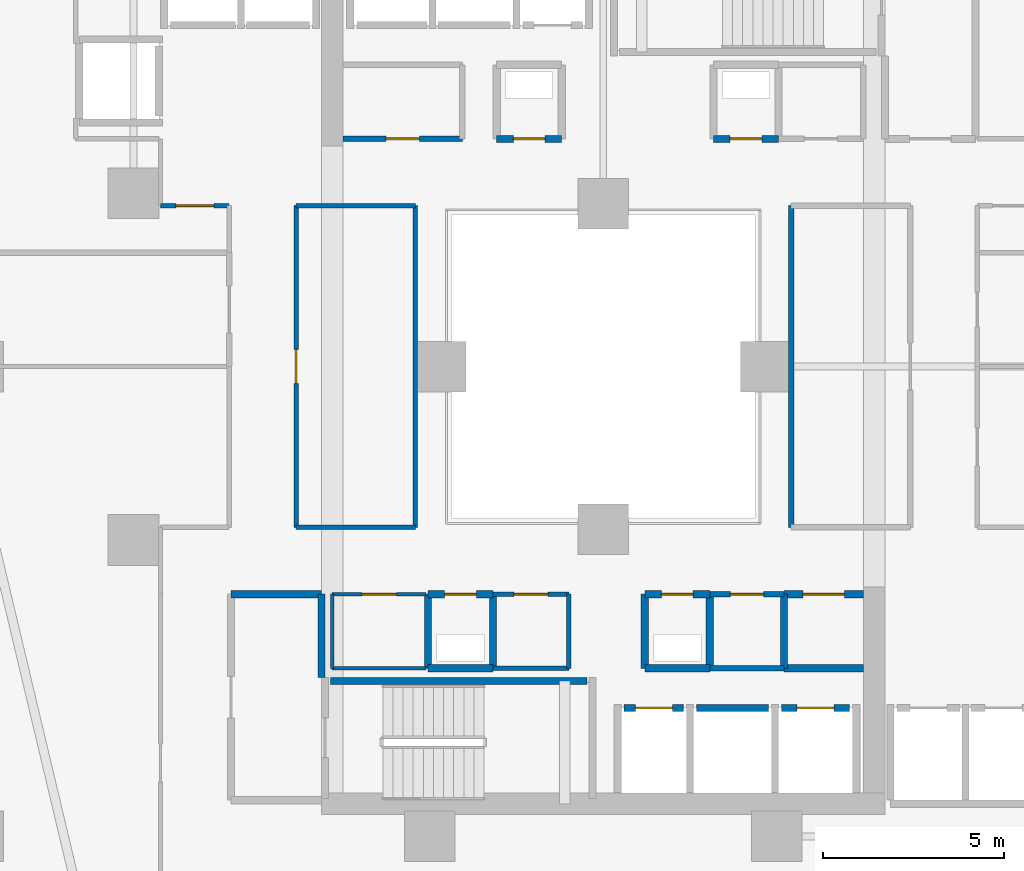
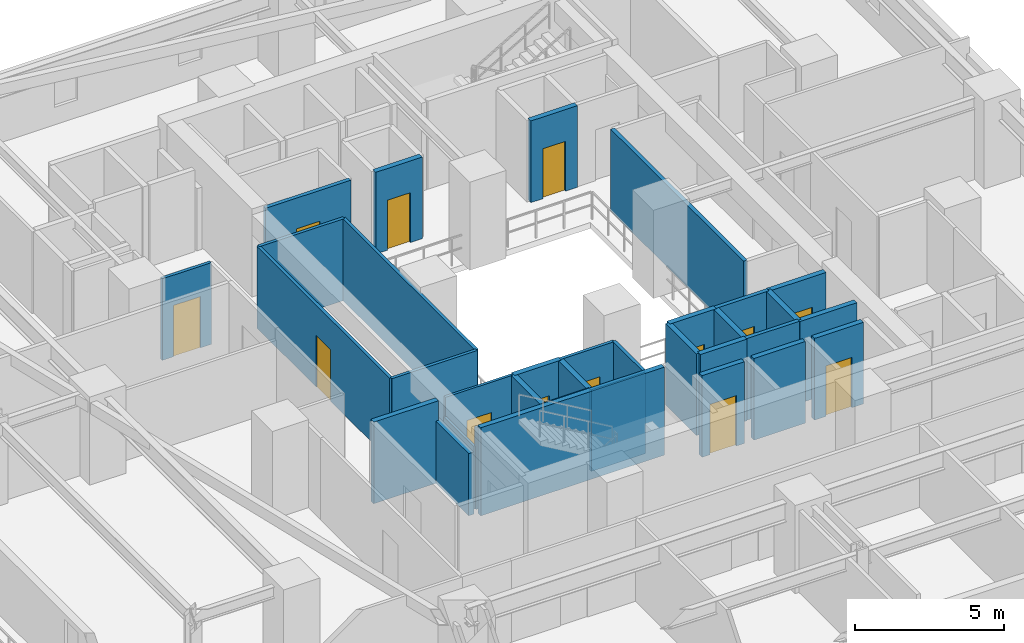
# One storey, part 19 of 33: 34 walls, 13 doors, 13 openings.
"""IFC4 building model written with IfcOpenShell, lengths in metres."""

from ifc_helpers import new_model, si_unit, direction, frame, frame_2d, origin, place, context, subcontext, project, spatial, rectangle, extrude, material, layer, layer_set, type_object, element, fill, save


model = new_model("IFC4")

# Units and contexts
model_context = context("Model", 3, precision=1e-05, world=origin(), true_north=direction((0.0, 1.0)))
body_context = subcontext(model_context, "Body", "Model", "MODEL_VIEW")
ifc_project = project(units=[si_unit("LENGTHUNIT", "METRE"), si_unit("AREAUNIT", "SQUARE_METRE"), si_unit("VOLUMEUNIT", "CUBIC_METRE"), si_unit("PLANEANGLEUNIT", "RADIAN"), si_unit("MASSUNIT", "GRAM", prefix="KILO")], contexts=[model_context])

# Site, building, storey
site_placement = place(None, origin())
site = spatial("IfcSite", under=ifc_project, at=site_placement, CompositionType="ELEMENT")
building_placement = place(site_placement, origin())
building = spatial("IfcBuilding", under=site, at=building_placement, Name="Thornwick Lancets Civic Towers", CompositionType="ELEMENT")
storey_placement = place(building_placement, frame((0.0, 0.0, 42.300048828125)))
storey = spatial("IfcBuildingStorey", under=building, at=storey_placement, Name="L10", CompositionType="ELEMENT", Elevation=42.300048828125)

# Wall, opening, door
ifc_material_1 = material(Name="Concrete blockwork C40/50", Category="masonry")
ifc_layer_1 = layer(ifc_material_1, 0.199951171875, Name="Concrete blockwork C40/50")
ifc_layer_set_1 = layer_set([ifc_layer_1], Name="Concrete blockwork C40/50")
wall_type_1 = type_object("IfcWallType", Name="WALL_COMP_200", PredefinedType="STANDARD", material=ifc_layer_set_1)
wall_1_placement = place(storey_placement, frame((26.080078125, 17.550048828125, 0.0), z_axis=(0.0, 0.0, 1.0), x_axis=(1.0, 0.0, 0.0)))
wall_1 = element("IfcWall", 1, at=wall_1_placement, inside=storey, type_object=wall_type_1, Name="L10 Hoistway Front Wall FL-A1", PredefinedType="STANDARD", context=body_context, shape_type="SweptSolid", body=[
    extrude(rectangle(XDim=1.639892578125, YDim=0.199951171875, at=frame_2d((0.81982421875, 0.0))), origin(), (0.0, 0.0, 1.0), 3.33984375),
])
opening_1_placement = place(wall_1_placement, frame((0.31005859375, 0.0, 0.0)))
opening_1 = element("IfcOpeningElement", 2, at=opening_1_placement, cuts=wall_1, Name="Opening LD-FL-A1", PredefinedType="OPENING", context=body_context, shape_type="SweptSolid", body=[
    extrude(rectangle(XDim=1.02001953125, YDim=2.06005859375, at=frame_2d((0.510009765625, 1.030029296875))), frame((0.0, 0.10986328125, 0.0), z_axis=(0.0, -1.0, 0.0), x_axis=(1.0, 0.0, 0.0)), (0.0, 0.0, 1.0), 0.219970703125),
])
ifc_material_2 = material(Name="Brushed bronze stainless steel", Category="steel")
door_type_1 = type_object("IfcDoorType", Name="DOOR_LIFT_SLIDE", OperationType="SLIDING_TO_LEFT", PredefinedType="DOOR", material=ifc_material_2)
door_1_placement = place(opening_1_placement, origin())
door_1 = element("IfcDoor", 3, at=door_1_placement, inside=storey, type_object=door_type_1, Name="L10 Sliding Lift Landing Door LD-FL-A1", OperationType="SLIDING_TO_LEFT", OverallHeight=2.06005859375, OverallWidth=1.02001953125, PredefinedType="DOOR", context=body_context, shape_type="SweptSolid", body=[
    extrude(rectangle(XDim=1.02001953125, YDim=2.06005859375, at=frame_2d((0.510009765625, 1.030029296875))), frame((0.0, 0.02490234375, 0.0), z_axis=(0.0, -1.0, 0.0), x_axis=(1.0, 0.0, 0.0)), (0.0, 0.0, 1.0), 0.050048828125),
])
fill(opening_1, door_1)

# Wall
wall_2_placement = place(storey_placement, frame((28.080078125, 17.550048828125, 0.0), z_axis=(0.0, 0.0, 1.0), x_axis=(1.0, 0.0, 0.0)))
element("IfcWall", 4, at=wall_2_placement, inside=storey, type_object=wall_type_1, Name="L10 Hoistway Front Wall PL-AH1", PredefinedType="STANDARD", context=body_context, shape_type="SweptSolid", body=[
    extrude(rectangle(XDim=1.989990234375, YDim=0.199951171875, at=frame_2d((0.9951171875, 0.0))), origin(), (0.0, 0.0, 1.0), 3.33984375),
])

# Wall, opening, door
wall_3_placement = place(storey_placement, frame((30.429931640625, 17.550048828125, 0.0), z_axis=(0.0, 0.0, 1.0), x_axis=(1.0, 0.0, 0.0)))
wall_3 = element("IfcWall", 5, at=wall_3_placement, inside=storey, type_object=wall_type_1, Name="L10 Hoistway Front Wall PL-AL1", PredefinedType="STANDARD", context=body_context, shape_type="SweptSolid", body=[
    extrude(rectangle(XDim=1.89013671875, YDim=0.199951171875, at=frame_2d((0.945068359375, 0.0))), origin(), (0.0, 0.0, 1.0), 3.33984375),
])
opening_2_placement = place(wall_3_placement, frame((0.43505859375, 0.0, 0.0)))
opening_2 = element("IfcOpeningElement", 6, at=opening_2_placement, cuts=wall_3, Name="Opening LD-PL-AL1", PredefinedType="OPENING", context=body_context, shape_type="SweptSolid", body=[
    extrude(rectangle(XDim=1.02001953125, YDim=2.06005859375, at=frame_2d((0.510009765625, 1.030029296875))), frame((0.0, 0.10986328125, 0.0), z_axis=(0.0, -1.0, 0.0), x_axis=(1.0, 0.0, 0.0)), (0.0, 0.0, 1.0), 0.219970703125),
])
door_2_placement = place(opening_2_placement, origin())
door_2 = element("IfcDoor", 7, at=door_2_placement, inside=storey, type_object=door_type_1, Name="L10 Sliding Lift Landing Door LD-PL-AL1", OperationType="SLIDING_TO_LEFT", OverallHeight=2.06005859375, OverallWidth=1.02001953125, PredefinedType="DOOR", context=body_context, shape_type="SweptSolid", body=[
    extrude(rectangle(XDim=1.02001953125, YDim=2.06005859375, at=frame_2d((0.510009765625, 1.030029296875))), frame((0.0, 0.02490234375, 0.0), z_axis=(0.0, -1.0, 0.0), x_axis=(1.0, 0.0, 0.0)), (0.0, 0.0, 1.0), 0.050048828125),
])
fill(opening_2, door_2)

# Walls
wall_4_placement = place(storey_placement, frame((17.699951171875, 18.39990234375, 0.0), z_axis=(0.0, 0.0, 1.0), x_axis=(0.0, 1.0, 0.0)))
element("IfcWall", 8, at=wall_4_placement, inside=storey, type_object=wall_type_1, Name="L10 Partition L10-A-FFLOB1 E2", PredefinedType="STANDARD", context=body_context, shape_type="SweptSolid", body=[
    extrude(rectangle(XDim=2.300048828125, YDim=0.199951171875, at=frame_2d((1.14990234375, 0.0))), origin(), (0.0, 0.0, 1.0), 2.544921875),
])
wall_5_placement = place(storey_placement, frame((17.699951171875, 20.699951171875, 0.0), z_axis=(0.0, 0.0, 1.0), x_axis=(-1.0, 0.0, 0.0)))
element("IfcWall", 9, at=wall_5_placement, inside=storey, type_object=wall_type_1, Name="L10 Partition L10-A-FFLOB1 E3", PredefinedType="STANDARD", context=body_context, shape_type="SweptSolid", body=[
    extrude(rectangle(XDim=2.5, YDim=0.199951171875, at=frame_2d((1.25, 0.0))), origin(), (0.0, 0.0, 1.0), 3.33984375),
])
wall_6_placement = place(storey_placement, frame((26.64990234375, 18.64990234375, 0.0), z_axis=(0.0, 0.0, 1.0), x_axis=(1.0, 0.0, 0.0)))
element("IfcWall", 10, at=wall_6_placement, inside=storey, type_object=wall_type_1, Name="L10 Partition L10-A-DUCT1 E1", PredefinedType="STANDARD", context=body_context, shape_type="SweptSolid", body=[
    extrude(rectangle(XDim=1.800048828125, YDim=0.199951171875, at=frame_2d((0.89990234375, 0.0))), origin(), (0.0, 0.0, 1.0), 3.33984375),
])
wall_7_placement = place(storey_placement, frame((28.449951171875, 18.64990234375, 0.0), z_axis=(0.0, 0.0, 1.0), x_axis=(0.0, 1.0, 0.0)))
element("IfcWall", 11, at=wall_7_placement, inside=storey, type_object=wall_type_1, Name="L10 Partition L10-A-DUCT1 E2", PredefinedType="STANDARD", context=body_context, shape_type="SweptSolid", body=[
    extrude(rectangle(XDim=2.050048828125, YDim=0.199951171875, at=frame_2d((1.02490234375, 0.0))), origin(), (0.0, 0.0, 1.0), 3.33984375),
])

# Wall, opening, door
wall_8_placement = place(storey_placement, frame((28.449951171875, 20.699951171875, 0.0), z_axis=(0.0, 0.0, 1.0), x_axis=(-1.0, 0.0, 0.0)))
wall_8 = element("IfcWall", 12, at=wall_8_placement, inside=storey, type_object=wall_type_1, Name="L10 Partition L10-A-DUCT1 E3", PredefinedType="STANDARD", context=body_context, shape_type="SweptSolid", body=[
    extrude(rectangle(XDim=1.800048828125, YDim=0.199951171875, at=frame_2d((0.89990234375, 0.0))), origin(), (0.0, 0.0, 1.0), 3.33984375),
])
opening_3_placement = place(wall_8_placement, frame((0.4599609375, 0.0, 0.0)))
opening_3 = element("IfcOpeningElement", 13, at=opening_3_placement, cuts=wall_8, Name="Opening D-L10-0489", PredefinedType="OPENING", context=body_context, shape_type="SweptSolid", body=[
    extrude(rectangle(XDim=0.8798828125, YDim=2.0400390625, at=frame_2d((0.43994140625, 1.02001953125))), frame((0.0, 0.10986328125, 0.0), z_axis=(0.0, -1.0, 0.0), x_axis=(1.0, 0.0, 0.0)), (0.0, 0.0, 1.0), 0.219970703125),
])
ifc_material_3 = material(Name="Steel riser access doorset", Category="steel")
door_type_2 = type_object("IfcDoorType", Name="DOOR_RISER_850", OperationType="NOTDEFINED", PredefinedType="DOOR", material=ifc_material_3)
door_3_placement = place(opening_3_placement, origin())
door_3 = element("IfcDoor", 14, at=door_3_placement, inside=storey, type_object=door_type_2, Name="L10 South Service Duct 1 Door", OperationType="SINGLE_SWING_RIGHT", OverallHeight=2.0400390625, OverallWidth=0.8798828125, PredefinedType="DOOR", context=body_context, shape_type="SweptSolid", body=[
    extrude(rectangle(XDim=0.8798828125, YDim=2.0400390625, at=frame_2d((0.43994140625, 1.02001953125))), frame((0.0, 0.02490234375, 0.0), z_axis=(0.0, -1.0, 0.0), x_axis=(1.0, 0.0, 0.0)), (0.0, 0.0, 1.0), 0.050048828125),
])
fill(opening_3, door_3)

# Walls
wall_9_placement = place(storey_placement, frame((26.64990234375, 20.699951171875, 0.0), z_axis=(0.0, 0.0, 1.0), x_axis=(0.0, -1.0, 0.0)))
element("IfcWall", 15, at=wall_9_placement, inside=storey, type_object=wall_type_1, Name="L10 Partition L10-A-DUCT1 E4", PredefinedType="STANDARD", context=body_context, shape_type="SweptSolid", body=[
    extrude(rectangle(XDim=2.050048828125, YDim=0.199951171875, at=frame_2d((1.02490234375, 0.0))), origin(), (0.0, 0.0, 1.0), 3.33984375),
])
wall_10_placement = place(storey_placement, frame((20.64990234375, 18.64990234375, 0.0), z_axis=(0.0, 0.0, 1.0), x_axis=(1.0, 0.0, 0.0)))
element("IfcWall", 16, at=wall_10_placement, inside=storey, type_object=wall_type_1, Name="L10 Partition L10-A-RISER1 E1", PredefinedType="STANDARD", context=body_context, shape_type="SweptSolid", body=[
    extrude(rectangle(XDim=1.800048828125, YDim=0.199951171875, at=frame_2d((0.89990234375, 0.0))), origin(), (0.0, 0.0, 1.0), 3.33984375),
])
wall_11_placement = place(storey_placement, frame((22.449951171875, 18.64990234375, 0.0), z_axis=(0.0, 0.0, 1.0), x_axis=(0.0, 1.0, 0.0)))
element("IfcWall", 17, at=wall_11_placement, inside=storey, type_object=wall_type_1, Name="L10 Partition L10-A-RISER1 E2", PredefinedType="STANDARD", context=body_context, shape_type="SweptSolid", body=[
    extrude(rectangle(XDim=2.050048828125, YDim=0.199951171875, at=frame_2d((1.02490234375, 0.0))), origin(), (0.0, 0.0, 1.0), 3.33984375),
])

# Wall, opening, door
wall_12_placement = place(storey_placement, frame((22.449951171875, 20.699951171875, 0.0), z_axis=(0.0, 0.0, 1.0), x_axis=(-1.0, 0.0, 0.0)))
wall_12 = element("IfcWall", 18, at=wall_12_placement, inside=storey, type_object=wall_type_1, Name="L10 Partition L10-A-RISER1 E3", PredefinedType="STANDARD", context=body_context, shape_type="SweptSolid", body=[
    extrude(rectangle(XDim=1.800048828125, YDim=0.199951171875, at=frame_2d((0.89990234375, 0.0))), origin(), (0.0, 0.0, 1.0), 3.33984375),
])
opening_4_placement = place(wall_12_placement, frame((0.4599609375, 0.0, 0.0)))
opening_4 = element("IfcOpeningElement", 19, at=opening_4_placement, cuts=wall_12, Name="Opening D-L10-0490", PredefinedType="OPENING", context=body_context, shape_type="SweptSolid", body=[
    extrude(rectangle(XDim=0.8798828125, YDim=2.0400390625, at=frame_2d((0.43994140625, 1.02001953125))), frame((0.0, 0.10986328125, 0.0), z_axis=(0.0, -1.0, 0.0), x_axis=(1.0, 0.0, 0.0)), (0.0, 0.0, 1.0), 0.219970703125),
])
door_4_placement = place(opening_4_placement, origin())
door_4 = element("IfcDoor", 20, at=door_4_placement, inside=storey, type_object=door_type_2, Name="L10 South Electrical Riser 1 Door", OperationType="SINGLE_SWING_LEFT", OverallHeight=2.0400390625, OverallWidth=0.8798828125, PredefinedType="DOOR", context=body_context, shape_type="SweptSolid", body=[
    extrude(rectangle(XDim=0.8798828125, YDim=2.0400390625, at=frame_2d((0.43994140625, 1.02001953125))), frame((0.0, 0.02490234375, 0.0), z_axis=(0.0, -1.0, 0.0), x_axis=(1.0, 0.0, 0.0)), (0.0, 0.0, 1.0), 0.050048828125),
])
fill(opening_4, door_4)

# Wall
wall_13_placement = place(storey_placement, frame((20.64990234375, 20.699951171875, 0.0), z_axis=(0.0, 0.0, 1.0), x_axis=(0.0, -1.0, 0.0)))
element("IfcWall", 21, at=wall_13_placement, inside=storey, type_object=wall_type_1, Name="L10 Partition L10-A-RISER1 E4", PredefinedType="STANDARD", context=body_context, shape_type="SweptSolid", body=[
    extrude(rectangle(XDim=2.050048828125, YDim=0.199951171875, at=frame_2d((1.02490234375, 0.0))), origin(), (0.0, 0.0, 1.0), 3.33984375),
])

# Wall, opening, door
wall_14_placement = place(storey_placement, frame((22.550048828125, 33.300048828125, 0.0), z_axis=(0.0, 0.0, 1.0), x_axis=(1.0, 0.0, 0.0)))
wall_14 = element("IfcWall", 22, at=wall_14_placement, inside=storey, type_object=wall_type_1, Name="L10 Partition L10-A-DUCT2 E1", PredefinedType="STANDARD", context=body_context, shape_type="SweptSolid", body=[
    extrude(rectangle(XDim=1.800048828125, YDim=0.199951171875, at=frame_2d((0.89990234375, 0.0))), origin(), (0.0, 0.0, 1.0), 3.33984375),
])
opening_5_placement = place(wall_14_placement, frame((0.4599609375, 0.0, 0.0)))
opening_5 = element("IfcOpeningElement", 23, at=opening_5_placement, cuts=wall_14, Name="Opening D-L10-0491", PredefinedType="OPENING", context=body_context, shape_type="SweptSolid", body=[
    extrude(rectangle(XDim=0.8798828125, YDim=2.0400390625, at=frame_2d((0.43994140625, 1.02001953125))), frame((0.0, 0.10986328125, 0.0), z_axis=(0.0, -1.0, 0.0), x_axis=(1.0, 0.0, 0.0)), (0.0, 0.0, 1.0), 0.219970703125),
])
door_5_placement = place(opening_5_placement, origin())
door_5 = element("IfcDoor", 24, at=door_5_placement, inside=storey, type_object=door_type_2, Name="L10 North Service Duct 2 Door", OperationType="SINGLE_SWING_RIGHT", OverallHeight=2.0400390625, OverallWidth=0.8798828125, PredefinedType="DOOR", context=body_context, shape_type="SweptSolid", body=[
    extrude(rectangle(XDim=0.8798828125, YDim=2.0400390625, at=frame_2d((0.43994140625, 1.02001953125))), frame((0.0, 0.02490234375, 0.0), z_axis=(0.0, -1.0, 0.0), x_axis=(1.0, 0.0, 0.0)), (0.0, 0.0, 1.0), 0.050048828125),
])
fill(opening_5, door_5)

wall_15_placement = place(storey_placement, frame((28.550048828125, 33.300048828125, 0.0), z_axis=(0.0, 0.0, 1.0), x_axis=(1.0, 0.0, 0.0)))
wall_15 = element("IfcWall", 25, at=wall_15_placement, inside=storey, type_object=wall_type_1, Name="L10 Partition L10-A-RISER2 E1", PredefinedType="STANDARD", context=body_context, shape_type="SweptSolid", body=[
    extrude(rectangle(XDim=1.800048828125, YDim=0.199951171875, at=frame_2d((0.89990234375, 0.0))), origin(), (0.0, 0.0, 1.0), 3.33984375),
])
opening_6_placement = place(wall_15_placement, frame((0.4599609375, 0.0, 0.0)))
opening_6 = element("IfcOpeningElement", 26, at=opening_6_placement, cuts=wall_15, Name="Opening D-L10-0492", PredefinedType="OPENING", context=body_context, shape_type="SweptSolid", body=[
    extrude(rectangle(XDim=0.8798828125, YDim=2.0400390625, at=frame_2d((0.43994140625, 1.02001953125))), frame((0.0, 0.10986328125, 0.0), z_axis=(0.0, -1.0, 0.0), x_axis=(1.0, 0.0, 0.0)), (0.0, 0.0, 1.0), 0.219970703125),
])
door_6_placement = place(opening_6_placement, origin())
door_6 = element("IfcDoor", 27, at=door_6_placement, inside=storey, type_object=door_type_2, Name="L10 North Service Riser 2 Door", OperationType="SINGLE_SWING_LEFT", OverallHeight=2.0400390625, OverallWidth=0.8798828125, PredefinedType="DOOR", context=body_context, shape_type="SweptSolid", body=[
    extrude(rectangle(XDim=0.8798828125, YDim=2.0400390625, at=frame_2d((0.43994140625, 1.02001953125))), frame((0.0, 0.02490234375, 0.0), z_axis=(0.0, -1.0, 0.0), x_axis=(1.0, 0.0, 0.0)), (0.0, 0.0, 1.0), 0.050048828125),
])
fill(opening_6, door_6)

# Walls
wall_16_placement = place(storey_placement, frame((32.699951171875, 18.64990234375, 0.0), z_axis=(0.0, 0.0, 1.0), x_axis=(-1.0, 0.0, 0.0)))
element("IfcWall", 28, at=wall_16_placement, inside=storey, type_object=wall_type_1, Name="L10 Partition L10-A-STR2 E2", PredefinedType="STANDARD", context=body_context, shape_type="SweptSolid", body=[
    extrude(rectangle(XDim=2.199951171875, YDim=0.199951171875, at=frame_2d((1.10009765625, 0.0))), origin(), (0.0, 0.0, 1.0), 3.33984375),
])
wall_17_placement = place(storey_placement, frame((30.5, 18.64990234375, 0.0), z_axis=(0.0, 0.0, 1.0), x_axis=(0.0, 1.0, 0.0)))
element("IfcWall", 29, at=wall_17_placement, inside=storey, type_object=wall_type_1, Name="L10 Partition L10-A-STR2 E3", PredefinedType="STANDARD", context=body_context, shape_type="SweptSolid", body=[
    extrude(rectangle(XDim=2.050048828125, YDim=0.199951171875, at=frame_2d((1.02490234375, 0.0))), origin(), (0.0, 0.0, 1.0), 3.33984375),
])

# Wall, opening, door
wall_18_placement = place(storey_placement, frame((30.5, 20.699951171875, 0.0), z_axis=(0.0, 0.0, 1.0), x_axis=(1.0, 0.0, 0.0)))
wall_18 = element("IfcWall", 30, at=wall_18_placement, inside=storey, type_object=wall_type_1, Name="L10 Partition L10-A-STR2 E4", PredefinedType="STANDARD", context=body_context, shape_type="SweptSolid", body=[
    extrude(rectangle(XDim=2.199951171875, YDim=0.199951171875, at=frame_2d((1.10009765625, 0.0))), origin(), (0.0, 0.0, 1.0), 3.33984375),
])
opening_7_placement = place(wall_18_placement, frame((0.52490234375, 0.0, 0.0)))
opening_7 = element("IfcOpeningElement", 31, at=opening_7_placement, cuts=wall_18, Name="Opening D-L10-0496", PredefinedType="OPENING", context=body_context, shape_type="SweptSolid", body=[
    extrude(rectangle(XDim=1.14990234375, YDim=2.10009765625, at=frame_2d((0.574951171875, 1.050048828125))), frame((0.0, 0.10986328125, 0.0), z_axis=(0.0, -1.0, 0.0), x_axis=(1.0, 0.0, 0.0)), (0.0, 0.0, 1.0), 0.219970703125),
])
ifc_material_4 = material(Name="Glazed fire-resisting steel", Category="steel")
door_type_3 = type_object("IfcDoorType", Name="DOOR_LOBBY_FD60", OperationType="NOTDEFINED", PredefinedType="DOOR", material=ifc_material_4)
door_7_placement = place(opening_7_placement, origin())
door_7 = element("IfcDoor", 32, at=door_7_placement, inside=storey, type_object=door_type_3, Name="L10 Tower A Core Supplies Store Door", OperationType="SINGLE_SWING_LEFT", OverallHeight=2.10009765625, OverallWidth=1.14990234375, PredefinedType="DOOR", context=body_context, shape_type="SweptSolid", body=[
    extrude(rectangle(XDim=1.14990234375, YDim=2.10009765625, at=frame_2d((0.574951171875, 1.050048828125))), frame((0.0, 0.02490234375, 0.0), z_axis=(0.0, -1.0, 0.0), x_axis=(1.0, 0.0, 0.0)), (0.0, 0.0, 1.0), 0.050048828125),
])
fill(opening_7, door_7)

# Wall
ifc_material_5 = material(Name="Lightweight cellular office partition")
ifc_layer_2 = layer(ifc_material_5, 0.10009765625, Name="Lightweight cellular office partition")
ifc_layer_set_2 = layer_set([ifc_layer_2], Name="Lightweight cellular office partition")
wall_type_2 = type_object("IfcWallType", Name="WALL_PART_100", PredefinedType="PARTITIONING", material=ifc_layer_set_2)
wall_19_placement = place(storey_placement, frame((18.0, 18.64990234375, 0.0), z_axis=(0.0, 0.0, 1.0), x_axis=(1.0, 0.0, 0.0)))
element("IfcWall", 33, at=wall_19_placement, inside=storey, type_object=wall_type_2, Name="L10 Partition L10-A-CLN E1", PredefinedType="PARTITIONING", context=body_context, shape_type="SweptSolid", body=[
    extrude(rectangle(XDim=2.60009765625, YDim=0.10009765625, at=frame_2d((1.300048828125, 0.0))), origin(), (0.0, 0.0, 1.0), 3.33984375),
])

# Wall, opening, door
wall_20_placement = place(storey_placement, frame((20.60009765625, 20.699951171875, 0.0), z_axis=(0.0, 0.0, 1.0), x_axis=(-1.0, 0.0, 0.0)))
wall_20 = element("IfcWall", 34, at=wall_20_placement, inside=storey, type_object=wall_type_2, Name="L10 Partition L10-A-CLN E3", PredefinedType="PARTITIONING", context=body_context, shape_type="SweptSolid", body=[
    extrude(rectangle(XDim=2.60009765625, YDim=0.10009765625, at=frame_2d((1.300048828125, 0.0))), origin(), (0.0, 0.0, 1.0), 3.33984375),
])
opening_8_placement = place(wall_20_placement, frame((0.824951171875, 0.0, 0.0)))
opening_8 = element("IfcOpeningElement", 35, at=opening_8_placement, cuts=wall_20, Name="Opening D-L10-0493", PredefinedType="OPENING", context=body_context, shape_type="SweptSolid", body=[
    extrude(rectangle(XDim=0.949951171875, YDim=2.10009765625, at=frame_2d((0.47509765625, 1.050048828125))), frame((0.0, 0.06005859375, 0.0), z_axis=(0.0, -1.0, 0.0), x_axis=(1.0, 0.0, 0.0)), (0.0, 0.0, 1.0), 0.1201171875),
])
ifc_material_6 = material(Name="European oak acoustic doorset")
door_type_4 = type_object("IfcDoorType", Name="DOOR_OFFICE_950", OperationType="NOTDEFINED", PredefinedType="DOOR", material=ifc_material_6)
door_8_placement = place(opening_8_placement, origin())
door_8 = element("IfcDoor", 36, at=door_8_placement, inside=storey, type_object=door_type_4, Name="L10 Tower A Cleaners Store Door", OperationType="SINGLE_SWING_RIGHT", OverallHeight=2.10009765625, OverallWidth=0.949951171875, PredefinedType="DOOR", context=body_context, shape_type="SweptSolid", body=[
    extrude(rectangle(XDim=0.949951171875, YDim=2.10009765625, at=frame_2d((0.47509765625, 1.050048828125))), frame((0.0, 0.02490234375, 0.0), z_axis=(0.0, -1.0, 0.0), x_axis=(1.0, 0.0, 0.0)), (0.0, 0.0, 1.0), 0.050048828125),
])
fill(opening_8, door_8)

# Walls
wall_21_placement = place(storey_placement, frame((18.0, 20.699951171875, 0.0), z_axis=(0.0, 0.0, 1.0), x_axis=(0.0, -1.0, 0.0)))
element("IfcWall", 37, at=wall_21_placement, inside=storey, type_object=wall_type_2, Name="L10 Partition L10-A-CLN E4", PredefinedType="PARTITIONING", context=body_context, shape_type="SweptSolid", body=[
    extrude(rectangle(XDim=2.050048828125, YDim=0.10009765625, at=frame_2d((1.02490234375, 0.0))), origin(), (0.0, 0.0, 1.0), 2.544921875),
])
ifc_material_7 = material(Name="Acoustic gypsum board partition")
ifc_layer_3 = layer(ifc_material_7, 0.1201171875, Name="Acoustic gypsum board partition")
ifc_layer_set_3 = layer_set([ifc_layer_3], Name="Acoustic gypsum board partition")
wall_type_3 = type_object("IfcWallType", Name="WALL_PART_120", PredefinedType="PARTITIONING", material=ifc_layer_set_3)
wall_22_placement = place(storey_placement, frame((24.550048828125, 20.699951171875, 0.0), z_axis=(0.0, 0.0, 1.0), x_axis=(0.0, -1.0, 0.0)))
element("IfcWall", 38, at=wall_22_placement, inside=storey, type_object=wall_type_3, Name="L10 Partition L10-A-ITR E1", PredefinedType="PARTITIONING", context=body_context, shape_type="SweptSolid", body=[
    extrude(rectangle(XDim=2.050048828125, YDim=0.1201171875, at=frame_2d((1.02490234375, 0.0))), origin(), (0.0, 0.0, 1.0), 3.33984375),
])
wall_23_placement = place(storey_placement, frame((24.550048828125, 18.64990234375, 0.0), z_axis=(0.0, 0.0, 1.0), x_axis=(-1.0, 0.0, 0.0)))
element("IfcWall", 39, at=wall_23_placement, inside=storey, type_object=wall_type_3, Name="L10 Partition L10-A-ITR E2", PredefinedType="PARTITIONING", context=body_context, shape_type="SweptSolid", body=[
    extrude(rectangle(XDim=2.10009765625, YDim=0.1201171875, at=frame_2d((1.050048828125, 0.0))), origin(), (0.0, 0.0, 1.0), 3.33984375),
])

# Wall, opening, door
wall_24_placement = place(storey_placement, frame((22.449951171875, 20.699951171875, 0.0), z_axis=(0.0, 0.0, 1.0), x_axis=(1.0, 0.0, 0.0)))
wall_24 = element("IfcWall", 40, at=wall_24_placement, inside=storey, type_object=wall_type_3, Name="L10 Partition L10-A-ITR E4", PredefinedType="PARTITIONING", context=body_context, shape_type="SweptSolid", body=[
    extrude(rectangle(XDim=2.10009765625, YDim=0.1201171875, at=frame_2d((1.050048828125, 0.0))), origin(), (0.0, 0.0, 1.0), 3.33984375),
])
opening_9_placement = place(wall_24_placement, frame((0.574951171875, 0.0, 0.0)))
opening_9 = element("IfcOpeningElement", 41, at=opening_9_placement, cuts=wall_24, Name="Opening D-L10-0494", PredefinedType="OPENING", context=body_context, shape_type="SweptSolid", body=[
    extrude(rectangle(XDim=0.949951171875, YDim=2.10009765625, at=frame_2d((0.47509765625, 1.050048828125))), frame((0.0, 0.070068359375, 0.0), z_axis=(0.0, -1.0, 0.0), x_axis=(1.0, 0.0, 0.0)), (0.0, 0.0, 1.0), 0.14013671875),
])
door_9_placement = place(opening_9_placement, origin())
door_9 = element("IfcDoor", 42, at=door_9_placement, inside=storey, type_object=door_type_4, Name="L10 Tower A Comms Patch Room Door", OperationType="SINGLE_SWING_LEFT", OverallHeight=2.10009765625, OverallWidth=0.949951171875, PredefinedType="DOOR", context=body_context, shape_type="SweptSolid", body=[
    extrude(rectangle(XDim=0.949951171875, YDim=2.10009765625, at=frame_2d((0.47509765625, 1.050048828125))), frame((0.0, 0.02490234375, 0.0), z_axis=(0.0, -1.0, 0.0), x_axis=(1.0, 0.0, 0.0)), (0.0, 0.0, 1.0), 0.050048828125),
])
fill(opening_9, door_9)

wall_25_placement = place(storey_placement, frame((13.25, 31.449951171875, 0.0), z_axis=(0.0, 0.0, 1.0), x_axis=(1.0, 0.0, 0.0)))
wall_25 = element("IfcWall", 43, at=wall_25_placement, inside=storey, type_object=wall_type_3, Name="L10 Partition L10-A-W3 E3", PredefinedType="PARTITIONING", context=body_context, shape_type="SweptSolid", body=[
    extrude(rectangle(XDim=1.89990234375, YDim=0.1201171875, at=frame_2d((0.949951171875, 0.0))), origin(), (0.0, 0.0, 1.0), 3.33984375),
])
opening_10_placement = place(wall_25_placement, frame((0.425048828125, 0.0, 0.0)))
opening_10 = element("IfcOpeningElement", 44, at=opening_10_placement, cuts=wall_25, Name="Opening D-L10-0513", PredefinedType="OPENING", context=body_context, shape_type="SweptSolid", body=[
    extrude(rectangle(XDim=1.050048828125, YDim=2.10009765625, at=frame_2d((0.52490234375, 1.050048828125))), frame((0.0, 0.070068359375, 0.0), z_axis=(0.0, -1.0, 0.0), x_axis=(1.0, 0.0, 0.0)), (0.0, 0.0, 1.0), 0.14013671875),
])
ifc_material_8 = material(Name="Glazed European oak executive doorset")
door_type_5 = type_object("IfcDoorType", Name="DOOR_OFFICE_1050", OperationType="NOTDEFINED", PredefinedType="DOOR", material=ifc_material_8)
door_10_placement = place(opening_10_placement, origin())
door_10 = element("IfcDoor", 45, at=door_10_placement, inside=storey, type_object=door_type_5, Name="L10 Tower A Staff Tea Pantry and Lounge Door", OperationType="SINGLE_SWING_RIGHT", OverallHeight=2.10009765625, OverallWidth=1.050048828125, PredefinedType="DOOR", context=body_context, shape_type="SweptSolid", body=[
    extrude(rectangle(XDim=1.050048828125, YDim=2.10009765625, at=frame_2d((0.52490234375, 1.050048828125))), frame((0.0, 0.02490234375, 0.0), z_axis=(0.0, -1.0, 0.0), x_axis=(1.0, 0.0, 0.0)), (0.0, 0.0, 1.0), 0.050048828125),
])
fill(opening_10, door_10)

wall_26_placement = place(storey_placement, frame((17.0, 22.550048828125, 0.0), z_axis=(0.0, 0.0, 1.0), x_axis=(0.0, 1.0, 0.0)))
wall_26 = element("IfcWall", 46, at=wall_26_placement, inside=storey, type_object=wall_type_3, Name="L10 Partition L10-A-ATR-W E1", PredefinedType="PARTITIONING", context=body_context, shape_type="SweptSolid", body=[
    extrude(rectangle(XDim=8.89990234375, YDim=0.1201171875, at=frame_2d((4.449951171875, 0.0))), origin(), (0.0, 0.0, 1.0), 3.33984375),
])
opening_11_placement = place(wall_26_placement, frame((3.97509765625, 0.0, 0.0)))
opening_11 = element("IfcOpeningElement", 47, at=opening_11_placement, cuts=wall_26, Name="Opening D-L10-0518", PredefinedType="OPENING", context=body_context, shape_type="SweptSolid", body=[
    extrude(rectangle(XDim=0.949951171875, YDim=2.10009765625, at=frame_2d((0.47509765625, 1.050048828125))), frame((0.0, 0.070068359375, 0.0), z_axis=(0.0, -1.0, 0.0), x_axis=(1.0, 0.0, 0.0)), (0.0, 0.0, 1.0), 0.14013671875),
])
door_11_placement = place(opening_11_placement, origin())
door_11 = element("IfcDoor", 48, at=door_11_placement, inside=storey, type_object=door_type_4, Name="L10 Tower A West Atrium Study Lounge Door", OperationType="SINGLE_SWING_LEFT", OverallHeight=2.10009765625, OverallWidth=0.949951171875, PredefinedType="DOOR", context=body_context, shape_type="SweptSolid", body=[
    extrude(rectangle(XDim=0.949951171875, YDim=2.10009765625, at=frame_2d((0.47509765625, 1.050048828125))), frame((0.0, 0.02490234375, 0.0), z_axis=(0.0, -1.0, 0.0), x_axis=(1.0, 0.0, 0.0)), (0.0, 0.0, 1.0), 0.050048828125),
])
fill(opening_11, door_11)

# Walls
wall_27_placement = place(storey_placement, frame((17.0, 31.449951171875, 0.0), z_axis=(0.0, 0.0, 1.0), x_axis=(1.0, 0.0, 0.0)))
element("IfcWall", 49, at=wall_27_placement, inside=storey, type_object=wall_type_3, Name="L10 Partition L10-A-ATR-W E2", PredefinedType="PARTITIONING", context=body_context, shape_type="SweptSolid", body=[
    extrude(rectangle(XDim=3.300048828125, YDim=0.1201171875, at=frame_2d((1.64990234375, 0.0))), origin(), (0.0, 0.0, 1.0), 3.33984375),
])
wall_28_placement = place(storey_placement, frame((20.300048828125, 31.449951171875, 0.0), z_axis=(0.0, 0.0, 1.0), x_axis=(0.0, -1.0, 0.0)))
element("IfcWall", 50, at=wall_28_placement, inside=storey, type_object=wall_type_3, Name="L10 Partition L10-A-ATR-W E3", PredefinedType="PARTITIONING", context=body_context, shape_type="SweptSolid", body=[
    extrude(rectangle(XDim=8.89990234375, YDim=0.1201171875, at=frame_2d((4.449951171875, 0.0))), origin(), (0.0, 0.0, 1.0), 3.33984375),
])
wall_29_placement = place(storey_placement, frame((20.300048828125, 22.550048828125, 0.0), z_axis=(0.0, 0.0, 1.0), x_axis=(-1.0, 0.0, 0.0)))
element("IfcWall", 51, at=wall_29_placement, inside=storey, type_object=wall_type_3, Name="L10 Partition L10-A-ATR-W E4", PredefinedType="PARTITIONING", context=body_context, shape_type="SweptSolid", body=[
    extrude(rectangle(XDim=3.300048828125, YDim=0.1201171875, at=frame_2d((1.64990234375, 0.0))), origin(), (0.0, 0.0, 1.0), 3.33984375),
])
ifc_material_9 = material(Name="Twin-stud acoustic gypsum board")
ifc_layer_4 = layer(ifc_material_9, 0.14990234375, Name="Twin-stud acoustic gypsum board")
ifc_layer_set_4 = layer_set([ifc_layer_4], Name="Twin-stud acoustic gypsum board")
wall_type_4 = type_object("IfcWallType", Name="WALL_PART_150", PredefinedType="PARTITIONING", material=ifc_layer_set_4)
wall_30_placement = place(storey_placement, frame((30.5, 18.64990234375, 0.0), z_axis=(0.0, 0.0, 1.0), x_axis=(-1.0, 0.0, 0.0)))
element("IfcWall", 52, at=wall_30_placement, inside=storey, type_object=wall_type_4, Name="L10 Partition L10-A-AWC E2", PredefinedType="PARTITIONING", context=body_context, shape_type="SweptSolid", body=[
    extrude(rectangle(XDim=2.050048828125, YDim=0.14990234375, at=frame_2d((1.02490234375, 0.0))), origin(), (0.0, 0.0, 1.0), 3.33984375),
])

# Wall, opening, door
wall_31_placement = place(storey_placement, frame((28.449951171875, 20.699951171875, 0.0), z_axis=(0.0, 0.0, 1.0), x_axis=(1.0, 0.0, 0.0)))
wall_31 = element("IfcWall", 53, at=wall_31_placement, inside=storey, type_object=wall_type_4, Name="L10 Partition L10-A-AWC E4", PredefinedType="PARTITIONING", context=body_context, shape_type="SweptSolid", body=[
    extrude(rectangle(XDim=2.050048828125, YDim=0.14990234375, at=frame_2d((1.02490234375, 0.0))), origin(), (0.0, 0.0, 1.0), 3.33984375),
])
opening_12_placement = place(wall_31_placement, frame((0.56494140625, 0.0, 0.0)))
opening_12 = element("IfcOpeningElement", 54, at=opening_12_placement, cuts=wall_31, Name="Opening D-L10-0495", PredefinedType="OPENING", context=body_context, shape_type="SweptSolid", body=[
    extrude(rectangle(XDim=0.919921875, YDim=2.080078125, at=frame_2d((0.4599609375, 1.0400390625))), frame((0.0, 0.0849609375, 0.0), z_axis=(0.0, -1.0, 0.0), x_axis=(1.0, 0.0, 0.0)), (0.0, 0.0, 1.0), 0.169921875),
])
ifc_material_10 = material(Name="Moisture-resistant oak doorset")
door_type_6 = type_object("IfcDoorType", Name="DOOR_WC_900", OperationType="NOTDEFINED", PredefinedType="DOOR", material=ifc_material_10)
door_12_placement = place(opening_12_placement, origin())
door_12 = element("IfcDoor", 55, at=door_12_placement, inside=storey, type_object=door_type_6, Name="L10 Tower A Accessible WC Door", OperationType="SINGLE_SWING_RIGHT", OverallHeight=2.080078125, OverallWidth=0.919921875, PredefinedType="DOOR", context=body_context, shape_type="SweptSolid", body=[
    extrude(rectangle(XDim=0.919921875, YDim=2.080078125, at=frame_2d((0.4599609375, 1.0400390625))), frame((0.0, 0.02490234375, 0.0), z_axis=(0.0, -1.0, 0.0), x_axis=(1.0, 0.0, 0.0)), (0.0, 0.0, 1.0), 0.050048828125),
])
fill(opening_12, door_12)

wall_32_placement = place(storey_placement, frame((18.300048828125, 33.300048828125, 0.0), z_axis=(0.0, 0.0, 1.0), x_axis=(1.0, 0.0, 0.0)))
wall_32 = element("IfcWall", 56, at=wall_32_placement, inside=storey, type_object=wall_type_4, Name="L10 Partition L10-A-MWC E1", PredefinedType="PARTITIONING", context=body_context, shape_type="SweptSolid", body=[
    extrude(rectangle(XDim=3.300048828125, YDim=0.14990234375, at=frame_2d((1.64990234375, 0.0))), origin(), (0.0, 0.0, 1.0), 3.33984375),
])
opening_13_placement = place(wall_32_placement, frame((1.18994140625, 0.0, 0.0)))
opening_13 = element("IfcOpeningElement", 57, at=opening_13_placement, cuts=wall_32, Name="Opening D-L10-0497", PredefinedType="OPENING", context=body_context, shape_type="SweptSolid", body=[
    extrude(rectangle(XDim=0.919921875, YDim=2.080078125, at=frame_2d((0.4599609375, 1.0400390625))), frame((0.0, 0.0849609375, 0.0), z_axis=(0.0, -1.0, 0.0), x_axis=(1.0, 0.0, 0.0)), (0.0, 0.0, 1.0), 0.169921875),
])
door_13_placement = place(opening_13_placement, origin())
door_13 = element("IfcDoor", 58, at=door_13_placement, inside=storey, type_object=door_type_6, Name="L10 Tower A Male WC Door", OperationType="SINGLE_SWING_RIGHT", OverallHeight=2.080078125, OverallWidth=0.919921875, PredefinedType="DOOR", context=body_context, shape_type="SweptSolid", body=[
    extrude(rectangle(XDim=0.919921875, YDim=2.080078125, at=frame_2d((0.4599609375, 1.0400390625))), frame((0.0, 0.02490234375, 0.0), z_axis=(0.0, -1.0, 0.0), x_axis=(1.0, 0.0, 0.0)), (0.0, 0.0, 1.0), 0.050048828125),
])
fill(opening_13, door_13)

# Walls
wall_33_placement = place(storey_placement, frame((30.699951171875, 22.550048828125, 0.0), z_axis=(0.0, 0.0, 1.0), x_axis=(0.0, 1.0, 0.0)))
element("IfcWall", 59, at=wall_33_placement, inside=storey, type_object=wall_type_4, Name="L10 Partition L10-A-ATR-E E1", PredefinedType="PARTITIONING", context=body_context, shape_type="SweptSolid", body=[
    extrude(rectangle(XDim=8.89990234375, YDim=0.14990234375, at=frame_2d((4.449951171875, 0.0))), origin(), (0.0, 0.0, 1.0), 3.33984375),
])
ifc_material_11 = material(Name="Concrete C40/50", Category="concrete")
ifc_layer_5 = layer(ifc_material_11, 0.199951171875, Name="Concrete C40/50")
ifc_layer_set_5 = layer_set([ifc_layer_5], Name="Concrete C40/50")
wall_type_5 = type_object("IfcWallType", Name="WALL_SHAFT_200", PredefinedType="SHEAR", material=ifc_layer_set_5)
wall_34_placement = place(storey_placement, frame((25.050048828125, 18.297119140625, 0.0), z_axis=(0.0, 0.0, 1.0), x_axis=(-1.0, 0.0, 0.0)))
element("IfcWall", 60, at=wall_34_placement, inside=storey, type_object=wall_type_5, Name="L10 ST-A1 Fire Stair Core Wall RIGHT", PredefinedType="SHEAR", context=body_context, shape_type="SweptSolid", body=[
    extrude(rectangle(XDim=7.10009765625, YDim=0.199951171875, at=frame_2d((3.550048828125, 0.0))), origin(), (0.0, 0.0, 1.0), 3.599853515625),
])

save(model, "model.ifc")
